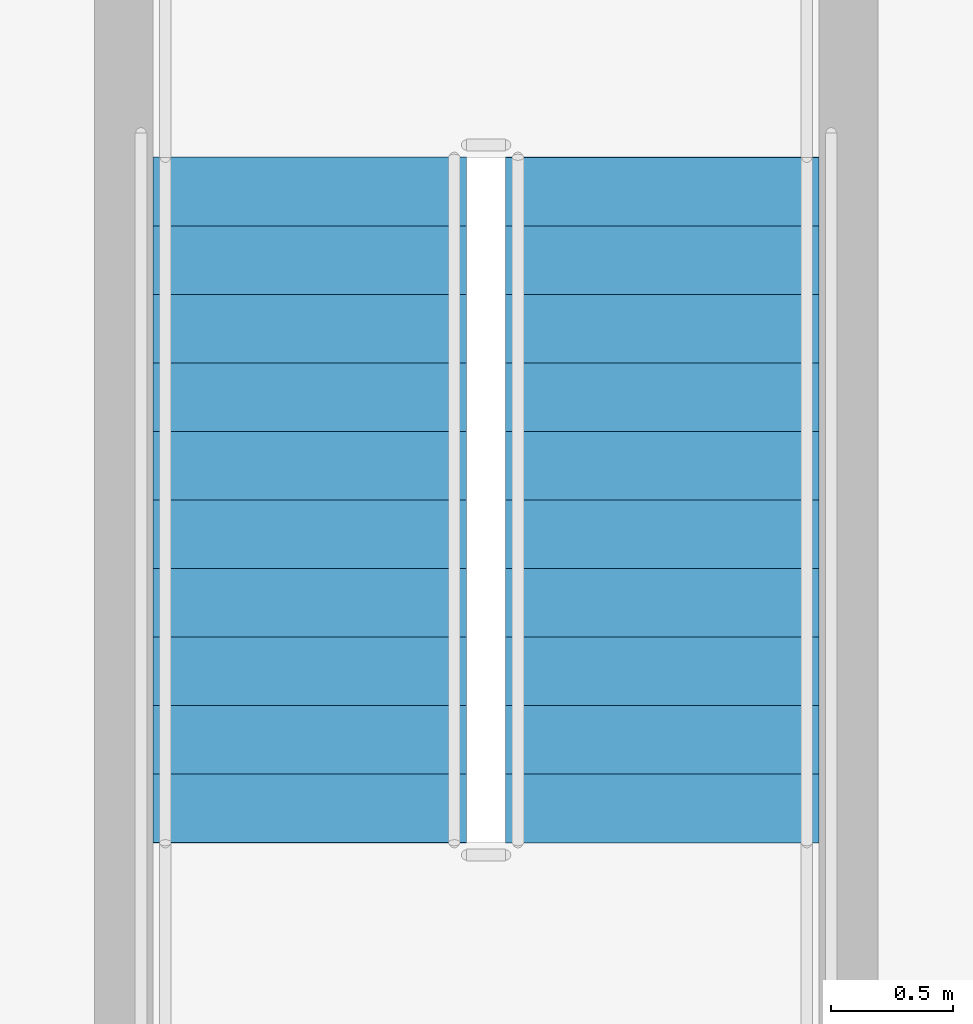
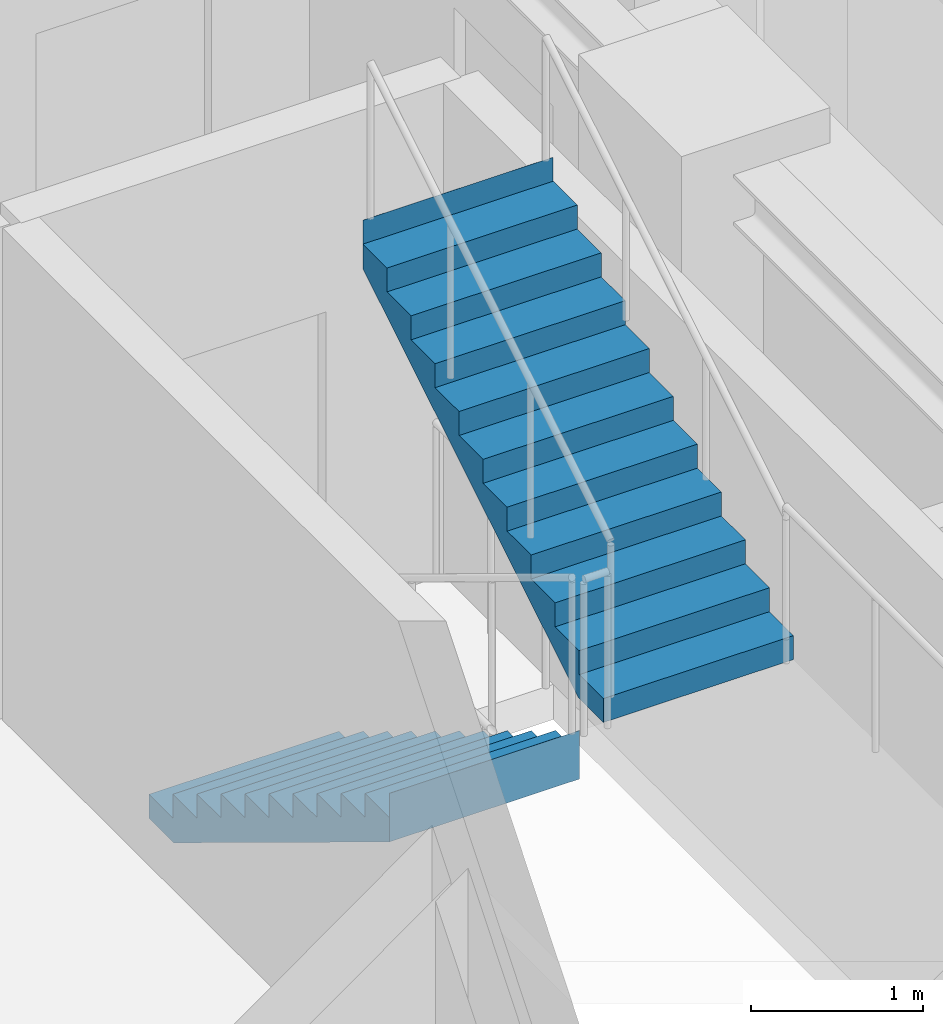
# One storey, part 9 of 12: 2 stair flights, 1 element without a shape of its own.
"""IFC4 building model written with IfcOpenShell, lengths in metres."""

from ifc_helpers import new_model, si_unit, direction, frame, origin, place, context, subcontext, project, spatial, polyline, outline, extrude, material, type_object, element, aggregate, save


model = new_model("IFC4")

# Units and contexts
model_context = context("Model", 3, precision=1e-05, world=origin(), true_north=direction((0.0, 1.0)))
body_context = subcontext(model_context, "Body", "Model", "MODEL_VIEW")
ifc_project = project(units=[si_unit("LENGTHUNIT", "METRE"), si_unit("AREAUNIT", "SQUARE_METRE"), si_unit("VOLUMEUNIT", "CUBIC_METRE"), si_unit("PLANEANGLEUNIT", "RADIAN"), si_unit("MASSUNIT", "GRAM", prefix="KILO")], contexts=[model_context])

# Site, building, storey
site_placement = place(None, origin())
site = spatial("IfcSite", under=ifc_project, at=site_placement, CompositionType="ELEMENT")
building_placement = place(site_placement, origin())
building = spatial("IfcBuilding", under=site, at=building_placement, Name="Ndelora Gate Hotel", CompositionType="ELEMENT")
storey_placement = place(building_placement, frame((0.0, 0.0, 138.5)))
storey = spatial("IfcBuildingStorey", under=building, at=storey_placement, Name="L34", CompositionType="ELEMENT", Elevation=138.5)

# Stair, stair flights
ifc_material = material(Name="Precast concrete C40/50", Category="concrete")
stair_type = type_object("IfcStairType", Name="STR-DOG-CORE", PredefinedType="HALF_TURN_STAIR", material=ifc_material)
stair_placement = place(storey_placement, origin())
stair = element("IfcStair", 1, at=stair_placement, inside=storey, type_object=stair_type, Name="L34 Protected Core Exit Stair ST5", PredefinedType="HALF_TURN_STAIR")
stair_flight_type = type_object("IfcStairFlightType", Name="STF-PRECAST", PredefinedType="STRAIGHT", material=ifc_material)
stair_flight_1_placement = place(storey_placement, frame((4.77001953125, -0.22998046875, 0.0), z_axis=(0.0, 0.0, 1.0), x_axis=(0.0, -1.0, 0.0)))
stair_flight_1 = element("IfcStairFlight", 2, at=stair_flight_1_placement, type_object=stair_flight_type, Name="ST5 flight 1", NumberOfRisers=11, NumberOfTreads=10, PredefinedType="STRAIGHT", RiserHeight=0.170454545, TreadLength=0.28, context=body_context, shape_type="SweptSolid", body=[
    extrude(outline(polyline([(-0.00048828125, 0.0), (-0.00048828125, 0.17041015625), (0.0, 0.17041015625), (0.280029296875, 0.17041015625), (0.280029296875, 0.3408203125), (0.56005859375, 0.3408203125), (0.56005859375, 0.511474609375), (0.840087890625, 0.511474609375), (0.840087890625, 0.681884765625), (1.1201171875, 0.681884765625), (1.1201171875, 0.852294921875), (1.39990234375, 0.852294921875), (1.39990234375, 1.022705078125), (1.679931640625, 1.022705078125), (1.679931640625, 1.193115234375), (1.9599609375, 1.193115234375), (1.9599609375, 1.363525390625), (2.239990234375, 1.363525390625), (2.239990234375, 1.5341796875), (2.52001953125, 1.5341796875), (2.52001953125, 1.70458984375), (2.800048828125, 1.70458984375), (2.800048828125, 1.875), (2.800537109375, 1.875), (2.800537109375, 1.695068359375), (2.800048828125, 1.529052734375), (0.288330078125, 0.0), (-0.00048828125, 0.0)])), frame((0.0, 0.64013671875, 0.0), z_axis=(0.0, -1.0, 0.0), x_axis=(1.0, 0.0, 0.0)), (0.0, 0.0, 1.0), 1.280029296875),
])
stair_flight_2_placement = place(storey_placement, frame((6.2099609375, -3.030029296875, 1.875), z_axis=(0.0, 0.0, 1.0), x_axis=(0.0, 1.0, 0.0)))
stair_flight_2 = element("IfcStairFlight", 3, at=stair_flight_2_placement, type_object=stair_flight_type, Name="ST5 flight 2", NumberOfRisers=11, NumberOfTreads=10, PredefinedType="STRAIGHT", RiserHeight=0.170454545, TreadLength=0.28, context=body_context, shape_type="SweptSolid", body=[
    extrude(outline(polyline([(-0.00048828125, 0.0), (-0.00048828125, 0.17041015625), (0.0, 0.17041015625), (0.280029296875, 0.17041015625), (0.280029296875, 0.3408203125), (0.56005859375, 0.3408203125), (0.56005859375, 0.511474609375), (0.840087890625, 0.511474609375), (0.840087890625, 0.681884765625), (1.1201171875, 0.681884765625), (1.1201171875, 0.852294921875), (1.39990234375, 0.852294921875), (1.39990234375, 1.022705078125), (1.679931640625, 1.022705078125), (1.679931640625, 1.193115234375), (1.9599609375, 1.193115234375), (1.9599609375, 1.363525390625), (2.239990234375, 1.363525390625), (2.239990234375, 1.5341796875), (2.52001953125, 1.5341796875), (2.52001953125, 1.70458984375), (2.800048828125, 1.70458984375), (2.800048828125, 1.875), (2.800537109375, 1.875), (2.800537109375, 1.695068359375), (2.800048828125, 1.529052734375), (0.288330078125, 0.0), (-0.00048828125, 0.0)])), frame((0.0, 0.64013671875, 0.0), z_axis=(0.0, -1.0, 0.0), x_axis=(1.0, 0.0, 0.0)), (0.0, 0.0, 1.0), 1.280029296875),
])
aggregate(stair, [stair_flight_1, stair_flight_2])

save(model, "model.ifc")
